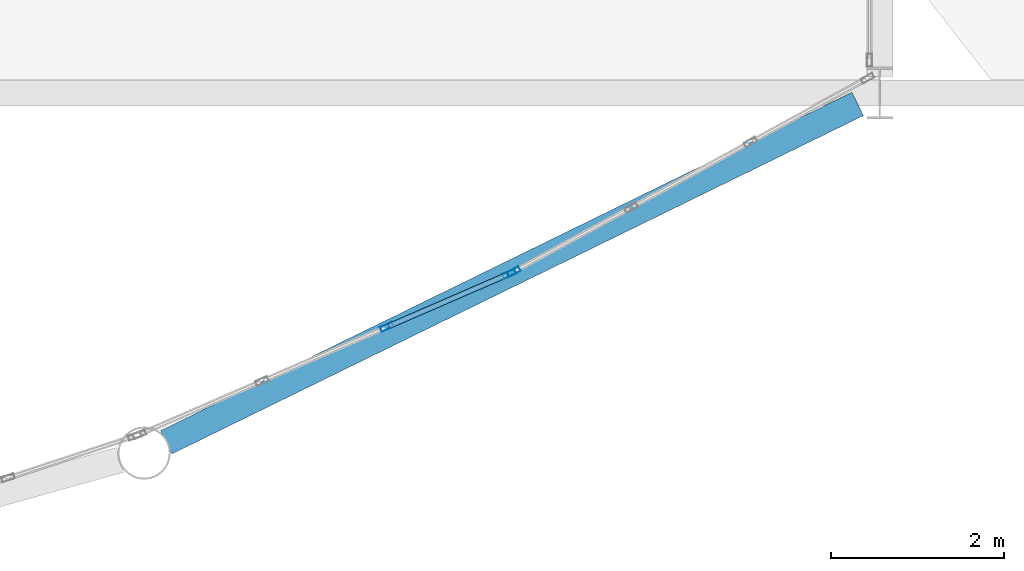
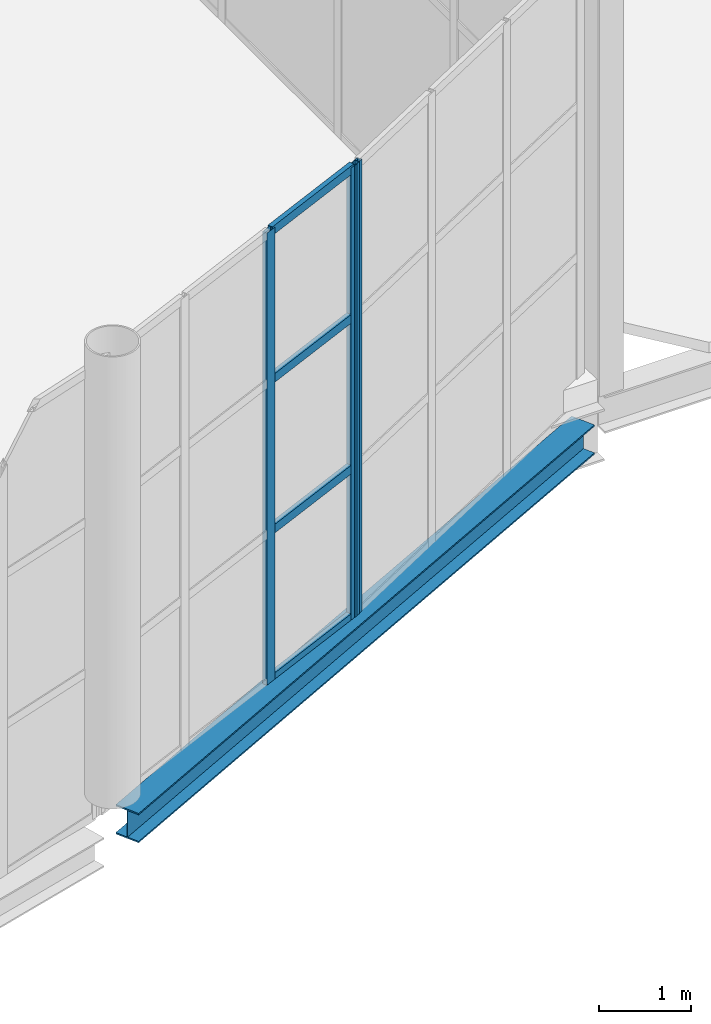
# One storey, part 48 of 191: 7 members, 1 beam, 2 elements without a shape of their own.
"""IFC4 building model written with IfcOpenShell, lengths in metres."""

from ifc_helpers import new_model, si_unit, direction, frame, origin, origin_2d, place, context, subcontext, project, spatial, hollow_rectangle, i_section, extrude, material, layer, layer_set, material_profile, profile_set, type_object, element, aggregate, save


model = new_model("IFC4")

# Units and contexts
model_context = context("Model", 3, precision=1e-05, world=origin(), true_north=direction((0.0, 1.0)))
body_context = subcontext(model_context, "Body", "Model", "MODEL_VIEW")
ifc_project = project(units=[si_unit("LENGTHUNIT", "METRE"), si_unit("AREAUNIT", "SQUARE_METRE"), si_unit("VOLUMEUNIT", "CUBIC_METRE"), si_unit("PLANEANGLEUNIT", "RADIAN"), si_unit("MASSUNIT", "GRAM", prefix="KILO")], contexts=[model_context])

# Site, building, storey
site_placement = place(None, origin())
site = spatial("IfcSite", under=ifc_project, at=site_placement, CompositionType="ELEMENT")
building_placement = place(site_placement, origin())
building = spatial("IfcBuilding", under=site, at=building_placement, Name="Tamarisk Ironworks Central Station", CompositionType="ELEMENT")
storey_placement = place(building_placement, frame((0.0, 0.0, 6.60009765625)))
storey = spatial("IfcBuildingStorey", under=building, at=storey_placement, Name="L01", CompositionType="ELEMENT", Elevation=6.60009765625)

# Beam
ifc_material_1 = material(Name="Structural steel S355J2", Category="steel")
ifc_material_profile_1 = material_profile(ifc_material_1, i_section(OverallWidth=0.300048828125, OverallDepth=0.389892578125, WebThickness=0.010986328125, FlangeThickness=0.01904296875, at=origin_2d()), Name="HEA 400")
ifc_profile_set_1 = profile_set([ifc_material_profile_1], Name="Structural steel S355J2")
beam_type = type_object("IfcBeamType", Name="BM-G07", PredefinedType="BEAM", material=ifc_profile_set_1)
beam_placement = place(storey_placement, frame((99.76708984375, 6.772705078125, -0.5751953125), z_axis=(0.898280916505, 0.439421659734, 0.0), x_axis=(-0.439421659734, 0.898280916505, 0.0)))
element("IfcBeam", 1, at=beam_placement, inside=storey, type_object=beam_type, Name="SN rounded nose L01 chord girder 011", PredefinedType="BEAM", context=body_context, shape_type="SweptSolid", body=[
    extrude(i_section(OverallWidth=0.300048828125, OverallDepth=0.389892578125, WebThickness=0.010986328125, FlangeThickness=0.01904296875, at=origin_2d()), origin(), (0.0, 0.0, 1.0), 8.880126953125),
])

# Curtain wall, members
ifc_material_2 = material(Name="Anodized aluminium alloy 6063-T6", Category="aluminium")
ifc_layer = layer(ifc_material_2, 0.179931640625)
ifc_layer_set = layer_set([ifc_layer], Name="Anodized aluminium alloy 6063-T6")
curtain_wall_type = type_object("IfcCurtainWallType", Name="CW-02", PredefinedType="USERDEFINED", material=ifc_layer_set)
curtain_wall_1_placement = place(storey_placement, origin())
curtain_wall_1 = element("IfcCurtainWall", 2, at=curtain_wall_1_placement, inside=storey, type_object=curtain_wall_type, Name="SN rounded entrance hall L01 curtain wall bay 11", ObjectType="GLAZED CURTAIN WALL", PredefinedType="USERDEFINED")
ifc_material_profile_2 = material_profile(ifc_material_2, hollow_rectangle(XDim=0.06005859375, YDim=0.14990234375, WallThickness=0.00341796875, at=origin_2d()), Name="ALUM 150x60")
ifc_profile_set_2 = profile_set([ifc_material_profile_2], Name="Anodized aluminium alloy 6063-T6")
member_type_1 = type_object("IfcMemberType", Name="CWM-03", PredefinedType="MULLION", material=ifc_profile_set_2)
member_1_placement = place(storey_placement, frame((102.31201171875, 8.1025390625, -0.385009765625), z_axis=(0.0, 0.0, 1.0), x_axis=(-0.398076935564, 0.917352033503, 0.0)))
member_1 = element("IfcMember", 3, at=member_1_placement, type_object=member_type_1, Name="CW02 mullion 3", PredefinedType="MULLION", context=body_context, shape_type="SweptSolid", body=[
    extrude(hollow_rectangle(XDim=0.06005859375, YDim=0.14990234375, WallThickness=0.00341796875, at=origin_2d()), origin(), (0.0, 0.0, 1.0), 6.0048828125),
])
member_2_placement = place(storey_placement, frame((103.724609375, 8.715576171875, -0.385009765625), z_axis=(0.0, 0.0, 1.0), x_axis=(-0.398076935564, 0.917352033503, 0.0)))
member_2 = element("IfcMember", 4, at=member_2_placement, type_object=member_type_1, Name="CW02 mullion 4", PredefinedType="MULLION", context=body_context, shape_type="SweptSolid", body=[
    extrude(hollow_rectangle(XDim=0.06005859375, YDim=0.14990234375, WallThickness=0.00341796875, at=origin_2d()), origin(), (0.0, 0.0, 1.0), 6.0048828125),
])

# Curtain wall, member
curtain_wall_2_placement = place(storey_placement, origin())
curtain_wall_2 = element("IfcCurtainWall", 5, at=curtain_wall_2_placement, inside=storey, type_object=curtain_wall_type, Name="SN rounded entrance hall L01 curtain wall bay 12", ObjectType="GLAZED CURTAIN WALL", PredefinedType="USERDEFINED")
member_3_placement = place(storey_placement, frame((103.778564453125, 8.74169921875, -0.385009765625), z_axis=(0.0, 0.0, 1.0), x_axis=(-0.47980544644, 0.877374910495, 0.0)))
member_3 = element("IfcMember", 6, at=member_3_placement, type_object=member_type_1, Name="CW02 mullion 1", PredefinedType="MULLION", context=body_context, shape_type="SweptSolid", body=[
    extrude(hollow_rectangle(XDim=0.06005859375, YDim=0.14990234375, WallThickness=0.00341796875, at=origin_2d()), origin(), (0.0, 0.0, 1.0), 6.0048828125),
])
aggregate(curtain_wall_2, [member_3])

# Member
ifc_material_profile_3 = material_profile(ifc_material_2, hollow_rectangle(XDim=0.06005859375, YDim=0.114990234375, WallThickness=0.00341796875, at=origin_2d()), Name="ALUM 115x60")
ifc_profile_set_3 = profile_set([ifc_material_profile_3], Name="Anodized aluminium alloy 6063-T6")
member_type_2 = type_object("IfcMemberType", Name="CWT-03", PredefinedType="USERDEFINED", material=ifc_profile_set_3)
member_4_placement = place(storey_placement, frame((102.3359375, 8.11279296875, -0.35498046875), z_axis=(0.91736196863, 0.398054039688, 0.0), x_axis=(-0.398054039688, 0.91736196863, 0.0)))
member_4 = element("IfcMember", 7, at=member_4_placement, type_object=member_type_2, Name="CW02 transom 3.1", ObjectType="TRANSOM", PredefinedType="USERDEFINED", context=body_context, shape_type="SweptSolid", body=[
    extrude(hollow_rectangle(XDim=0.06005859375, YDim=0.114990234375, WallThickness=0.00341796875, at=origin_2d()), origin(), (0.0, 0.0, 1.0), 1.488037109375),
])

member_5_placement = place(storey_placement, frame((102.3359375, 8.11279296875, 1.61669921875), z_axis=(0.91736196863, 0.398054039688, 0.0), x_axis=(-0.398054039688, 0.91736196863, 0.0)))
member_5 = element("IfcMember", 8, at=member_5_placement, type_object=member_type_2, Name="CW02 transom 3.2", ObjectType="TRANSOM", PredefinedType="USERDEFINED", context=body_context, shape_type="SweptSolid", body=[
    extrude(hollow_rectangle(XDim=0.06005859375, YDim=0.114990234375, WallThickness=0.00341796875, at=origin_2d()), origin(), (0.0, 0.0, 1.0), 1.488037109375),
])

member_6_placement = place(storey_placement, frame((102.3359375, 8.11279296875, 3.6181640625), z_axis=(0.91736196863, 0.398054039688, 0.0), x_axis=(-0.398054039688, 0.91736196863, 0.0)))
member_6 = element("IfcMember", 9, at=member_6_placement, type_object=member_type_2, Name="CW02 transom 3.3", ObjectType="TRANSOM", PredefinedType="USERDEFINED", context=body_context, shape_type="SweptSolid", body=[
    extrude(hollow_rectangle(XDim=0.06005859375, YDim=0.114990234375, WallThickness=0.00341796875, at=origin_2d()), origin(), (0.0, 0.0, 1.0), 1.488037109375),
])

member_7_placement = place(storey_placement, frame((102.3359375, 8.11279296875, 5.58984375), z_axis=(0.91736196863, 0.398054039688, 0.0), x_axis=(-0.398054039688, 0.91736196863, 0.0)))
member_7 = element("IfcMember", 10, at=member_7_placement, type_object=member_type_2, Name="CW02 transom 3.4", ObjectType="TRANSOM", PredefinedType="USERDEFINED", context=body_context, shape_type="SweptSolid", body=[
    extrude(hollow_rectangle(XDim=0.06005859375, YDim=0.114990234375, WallThickness=0.00341796875, at=origin_2d()), origin(), (0.0, 0.0, 1.0), 1.488037109375),
])

aggregate(curtain_wall_1, [member_1, member_2, member_4, member_5, member_6, member_7])

save(model, "model.ifc")
